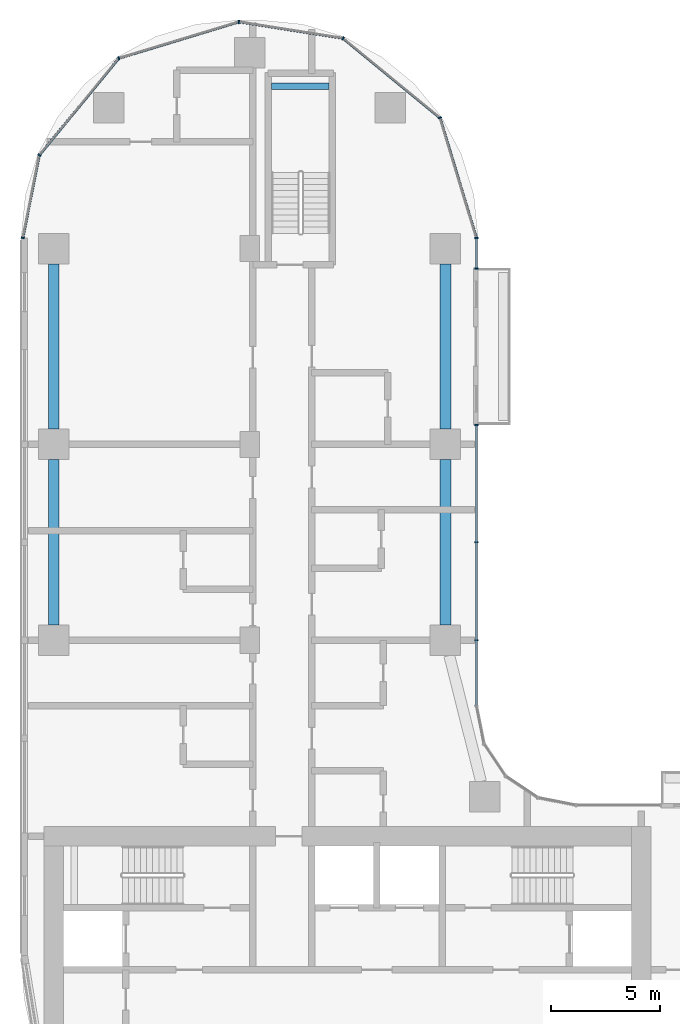
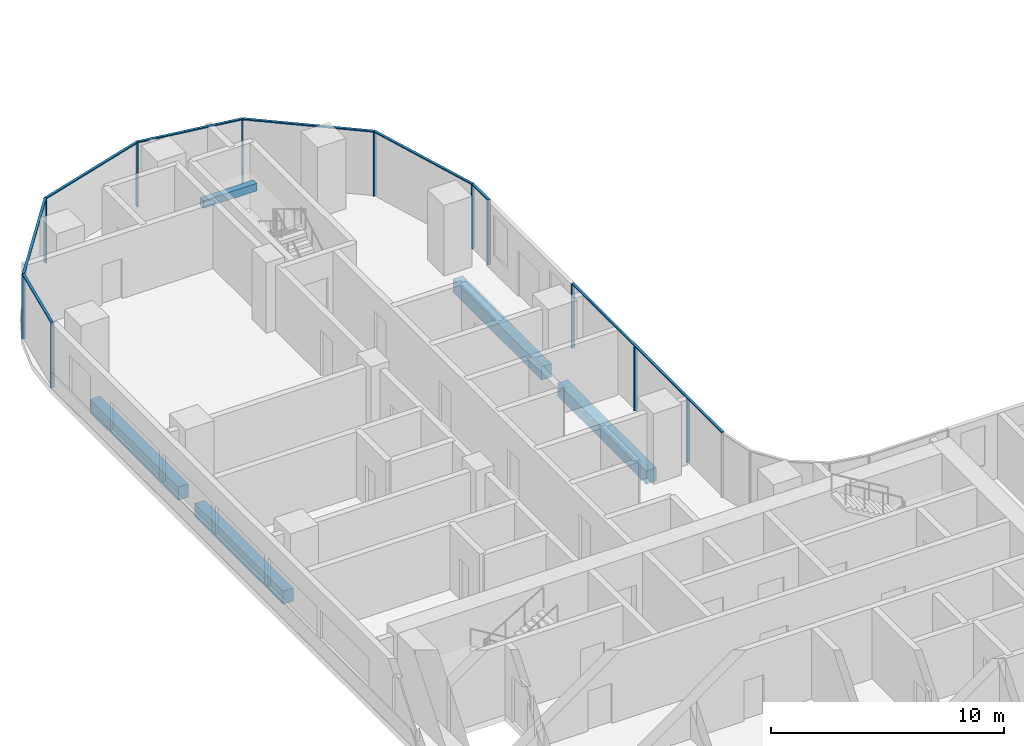
# One storey, part 4 of 31: 19 members, 5 beams, 3 elements without a shape of their own.
"""IFC4 building model written with IfcOpenShell, lengths in metres."""

from ifc_helpers import new_model, si_unit, direction, frame, origin, origin_2d, place, context, subcontext, project, spatial, rectangle, extrude, material, material_profile, profile_set, type_object, element, aggregate, save


model = new_model("IFC4")

# Units and contexts
model_context = context("Model", 3, precision=1e-05, world=origin(), true_north=direction((0.0, 1.0)))
body_context = subcontext(model_context, "Body", "Model", "MODEL_VIEW")
ifc_project = project(units=[si_unit("LENGTHUNIT", "METRE"), si_unit("AREAUNIT", "SQUARE_METRE"), si_unit("VOLUMEUNIT", "CUBIC_METRE"), si_unit("PLANEANGLEUNIT", "RADIAN"), si_unit("MASSUNIT", "GRAM", prefix="KILO")], contexts=[model_context])

# Site, building, storey
site_placement = place(None, origin())
site = spatial("IfcSite", under=ifc_project, at=site_placement, CompositionType="ELEMENT")
building_placement = place(site_placement, origin())
building = spatial("IfcBuilding", under=site, at=building_placement, Name="Ogive Portal Towers", CompositionType="ELEMENT")
storey_placement = place(building_placement, frame((0.0, 0.0, 74.199951171875)))
storey = spatial("IfcBuildingStorey", under=building, at=storey_placement, Name="L17", CompositionType="ELEMENT", Elevation=74.199951171875)

# Beam
ifc_material_1 = material(Name="Concrete C40/50", Category="concrete")
ifc_material_profile_1 = material_profile(ifc_material_1, rectangle(XDim=0.300048828125, YDim=0.39990234375, at=origin_2d()), Name="RC 300x400")
ifc_profile_set_1 = profile_set([ifc_material_profile_1], Name="Concrete C40/50")
beam_type_1 = type_object("IfcBeamType", Name="BEAM RC 300x400", PredefinedType="BEAM", material=ifc_profile_set_1)
beam_placement = place(storey_placement, frame((41.5, 73.949951171875, 1.449951171875), z_axis=(1.0, 0.0, 0.0), x_axis=(0.0, 1.0, 0.0)))
element("IfcBeam", 1, at=beam_placement, inside=storey, type_object=beam_type_1, Name="Landing beam L17", PredefinedType="BEAM", context=body_context, shape_type="SweptSolid", body=[
    extrude(rectangle(XDim=0.300048828125, YDim=0.39990234375, at=origin_2d()), origin(), (0.0, 0.0, 1.0), 2.64990234375),
])

# Curtain wall, members
ifc_material_2 = material(Name="Glass, clear low-iron insulated glazing", Category="glass")
curtain_wall_type = type_object("IfcCurtainWallType", Name="CW FRONT RIBBON 4500", PredefinedType="NOTDEFINED", material=ifc_material_2)
curtain_wall_1_placement = place(storey_placement, origin())
curtain_wall_1 = element("IfcCurtainWall", 2, at=curtain_wall_1_placement, inside=storey, type_object=curtain_wall_type, Name="A:L17:f17:cw0", PredefinedType="NOTDEFINED")
ifc_material_3 = material(Name="Aluminium 6063 anodised", Category="aluminium")
ifc_material_profile_2 = material_profile(ifc_material_3, rectangle(XDim=0.159912109375, YDim=0.06005859375, at=origin_2d()), Name="AL 60x160")
ifc_profile_set_2 = profile_set([ifc_material_profile_2], Name="Aluminium 6063 anodised")
member_type_1 = type_object("IfcMemberType", Name="CW MULLION 60x160", PredefinedType="MULLION", material=ifc_profile_set_2)
member_1_placement = place(storey_placement, frame((50.919921875, 48.5, 0.0), z_axis=(0.0, 0.0, 1.0), x_axis=(-1.0, 0.0, 0.0)))
member_1 = element("IfcMember", 3, at=member_1_placement, type_object=member_type_1, Name="mullion", PredefinedType="MULLION", context=body_context, shape_type="SweptSolid", body=[
    extrude(rectangle(XDim=0.159912109375, YDim=0.06005859375, at=origin_2d()), origin(), (0.0, 0.0, 1.0), 3.340087890625),
])
member_2_placement = place(storey_placement, frame((50.919921875, 53.0, 0.0), z_axis=(0.0, 0.0, 1.0), x_axis=(-1.0, 0.0, 0.0)))
member_2 = element("IfcMember", 4, at=member_2_placement, type_object=member_type_1, Name="mullion", PredefinedType="MULLION", context=body_context, shape_type="SweptSolid", body=[
    extrude(rectangle(XDim=0.159912109375, YDim=0.06005859375, at=origin_2d()), origin(), (0.0, 0.0, 1.0), 3.340087890625),
])
member_3_placement = place(storey_placement, frame((50.919921875, 58.3896484375, 0.0), z_axis=(0.0, 0.0, 1.0), x_axis=(-1.0, 0.0, 0.0)))
member_3 = element("IfcMember", 5, at=member_3_placement, type_object=member_type_1, Name="mullion", PredefinedType="MULLION", context=body_context, shape_type="SweptSolid", body=[
    extrude(rectangle(XDim=0.159912109375, YDim=0.06005859375, at=origin_2d()), origin(), (0.0, 0.0, 1.0), 3.340087890625),
])

curtain_wall_2_placement = place(storey_placement, origin())
curtain_wall_2 = element("IfcCurtainWall", 6, at=curtain_wall_2_placement, inside=storey, type_object=curtain_wall_type, Name="A:L17:f17:cw1", PredefinedType="NOTDEFINED")
member_4_placement = place(storey_placement, frame((50.919921875, 65.58837890625, 0.0), z_axis=(0.0, 0.0, 1.0), x_axis=(-1.0, 0.0, 0.0)))
member_4 = element("IfcMember", 7, at=member_4_placement, type_object=member_type_1, Name="mullion", PredefinedType="MULLION", context=body_context, shape_type="SweptSolid", body=[
    extrude(rectangle(XDim=0.159912109375, YDim=0.06005859375, at=origin_2d()), origin(), (0.0, 0.0, 1.0), 3.340087890625),
])
member_5_placement = place(storey_placement, frame((50.919921875, 66.988037109375, 0.0), z_axis=(0.0, 0.0, 1.0), x_axis=(-1.0, 0.0, 0.0)))
member_5 = element("IfcMember", 8, at=member_5_placement, type_object=member_type_1, Name="mullion", PredefinedType="MULLION", context=body_context, shape_type="SweptSolid", body=[
    extrude(rectangle(XDim=0.159912109375, YDim=0.06005859375, at=origin_2d()), origin(), (0.0, 0.0, 1.0), 3.340087890625),
])

curtain_wall_3_placement = place(storey_placement, origin())
curtain_wall_3 = element("IfcCurtainWall", 9, at=curtain_wall_3_placement, inside=storey, type_object=curtain_wall_type, Name="A:L17:f18:cwa", PredefinedType="NOTDEFINED")
member_6_placement = place(storey_placement, frame((49.2451171875, 72.50927734375, 0.0), z_axis=(0.0, 0.0, 1.0), x_axis=(-0.956940335732, -0.290284677254, 0.0)))
member_6 = element("IfcMember", 10, at=member_6_placement, type_object=member_type_1, Name="mullion", PredefinedType="MULLION", context=body_context, shape_type="SweptSolid", body=[
    extrude(rectangle(XDim=0.159912109375, YDim=0.06005859375, at=origin_2d()), origin(), (0.0, 0.0, 1.0), 3.340087890625),
])
member_7_placement = place(storey_placement, frame((44.79296875, 76.1630859375, 0.0), z_axis=(0.0, 0.0, 1.0), x_axis=(-0.634393284164, -0.773010453363, 0.0)))
member_7 = element("IfcMember", 11, at=member_7_placement, type_object=member_type_1, Name="mullion", PredefinedType="MULLION", context=body_context, shape_type="SweptSolid", body=[
    extrude(rectangle(XDim=0.159912109375, YDim=0.06005859375, at=origin_2d()), origin(), (0.0, 0.0, 1.0), 3.340087890625),
])
member_8_placement = place(storey_placement, frame((40.005615234375, 76.918212890625, 0.0), z_axis=(0.0, 0.0, 1.0), x_axis=(-0.155777466355, -0.987792174992, 0.0)))
member_8 = element("IfcMember", 12, at=member_8_placement, type_object=member_type_1, Name="mullion", PredefinedType="MULLION", context=body_context, shape_type="SweptSolid", body=[
    extrude(rectangle(XDim=0.159912109375, YDim=0.06005859375, at=origin_2d()), origin(), (0.0, 0.0, 1.0), 3.340087890625),
])
member_9_placement = place(storey_placement, frame((34.49072265625, 75.2451171875, 0.0), z_axis=(0.0, 0.0, 1.0), x_axis=(0.290284677254, -0.956940335732, 0.0)))
member_9 = element("IfcMember", 13, at=member_9_placement, type_object=member_type_1, Name="mullion", PredefinedType="MULLION", context=body_context, shape_type="SweptSolid", body=[
    extrude(rectangle(XDim=0.159912109375, YDim=0.06005859375, at=origin_2d()), origin(), (0.0, 0.0, 1.0), 3.340087890625),
])
member_10_placement = place(storey_placement, frame((30.835693359375, 70.79150390625, 0.0), z_axis=(0.0, 0.0, 1.0), x_axis=(0.773010453363, -0.634393284164, 0.0)))
member_10 = element("IfcMember", 14, at=member_10_placement, type_object=member_type_1, Name="mullion", PredefinedType="MULLION", context=body_context, shape_type="SweptSolid", body=[
    extrude(rectangle(XDim=0.159912109375, YDim=0.06005859375, at=origin_2d()), origin(), (0.0, 0.0, 1.0), 3.340087890625),
])
member_11_placement = place(storey_placement, frame((30.080078125, 66.9921875, 0.0), z_axis=(0.0, 0.0, 1.0), x_axis=(0.980785280403, -0.195090322016, 0.0)))
member_11 = element("IfcMember", 15, at=member_11_placement, type_object=member_type_1, Name="mullion", PredefinedType="MULLION", context=body_context, shape_type="SweptSolid", body=[
    extrude(rectangle(XDim=0.159912109375, YDim=0.06005859375, at=origin_2d()), origin(), (0.0, 0.0, 1.0), 3.340087890625),
])

# Member
ifc_material_profile_3 = material_profile(ifc_material_3, rectangle(XDim=0.1201171875, YDim=0.06005859375, at=origin_2d()), Name="AL 120x60")
ifc_profile_set_3 = profile_set([ifc_material_profile_3], Name="Aluminium 6063 anodised")
member_type_2 = type_object("IfcMemberType", Name="CW TRANSOM 60x120", PredefinedType="USERDEFINED", material=ifc_profile_set_3)
member_12_placement = place(storey_placement, frame((50.919921875, 45.4921875, 3.3701171875), z_axis=(0.0, 1.0, 0.0), x_axis=(-1.0, 0.0, 0.0)))
member_12 = element("IfcMember", 16, at=member_12_placement, type_object=member_type_2, Name="transom", ObjectType="TRANSOM", PredefinedType="USERDEFINED", context=body_context, shape_type="SweptSolid", body=[
    extrude(rectangle(XDim=0.1201171875, YDim=0.06005859375, at=origin_2d()), origin(), (0.0, 0.0, 1.0), 12.8974609375),
])

aggregate(curtain_wall_1, [member_12, member_1, member_2, member_3])

member_13_placement = place(storey_placement, frame((50.919921875, 65.58837890625, 3.3701171875), z_axis=(0.0, 1.0, 0.0), x_axis=(-1.0, 0.0, 0.0)))
member_13 = element("IfcMember", 17, at=member_13_placement, type_object=member_type_2, Name="transom", ObjectType="TRANSOM", PredefinedType="USERDEFINED", context=body_context, shape_type="SweptSolid", body=[
    extrude(rectangle(XDim=0.1201171875, YDim=0.06005859375, at=origin_2d()), origin(), (0.0, 0.0, 1.0), 1.399658203125),
])

aggregate(curtain_wall_2, [member_13, member_4, member_5])

member_14_placement = place(storey_placement, frame((50.919921875, 66.988037109375, 3.3701171875), z_axis=(-0.290277499028, 0.956942513194, 0.0), x_axis=(-0.956942513194, -0.290277499028, 0.0)))
member_14 = element("IfcMember", 18, at=member_14_placement, type_object=member_type_2, Name="transom", ObjectType="TRANSOM", PredefinedType="USERDEFINED", context=body_context, shape_type="SweptSolid", body=[
    extrude(rectangle(XDim=0.1201171875, YDim=0.06005859375, at=origin_2d()), origin(), (0.0, 0.0, 1.0), 5.769775390625),
])

member_15_placement = place(storey_placement, frame((49.2451171875, 72.50927734375, 3.3701171875), z_axis=(-0.773008341981, 0.634395856881, 0.0), x_axis=(-0.634395856881, -0.773008341981, 0.0)))
member_15 = element("IfcMember", 19, at=member_15_placement, type_object=member_type_2, Name="transom", ObjectType="TRANSOM", PredefinedType="USERDEFINED", context=body_context, shape_type="SweptSolid", body=[
    extrude(rectangle(XDim=0.1201171875, YDim=0.06005859375, at=origin_2d()), origin(), (0.0, 0.0, 1.0), 5.759521484375),
])

member_16_placement = place(storey_placement, frame((44.79296875, 76.1630859375, 3.3701171875), z_axis=(-0.987787459497, 0.155807364589, 0.0), x_axis=(-0.155807364589, -0.987787459497, 0.0)))
member_16 = element("IfcMember", 20, at=member_16_placement, type_object=member_type_2, Name="transom", ObjectType="TRANSOM", PredefinedType="USERDEFINED", context=body_context, shape_type="SweptSolid", body=[
    extrude(rectangle(XDim=0.1201171875, YDim=0.06005859375, at=origin_2d()), origin(), (0.0, 0.0, 1.0), 4.846435546875),
])

member_17_placement = place(storey_placement, frame((40.005615234375, 76.918212890625, 3.3701171875), z_axis=(-0.956932077168, -0.290311900697, 0.0), x_axis=(0.290311900697, -0.956932077168, 0.0)))
member_17 = element("IfcMember", 21, at=member_17_placement, type_object=member_type_2, Name="transom", ObjectType="TRANSOM", PredefinedType="USERDEFINED", context=body_context, shape_type="SweptSolid", body=[
    extrude(rectangle(XDim=0.1201171875, YDim=0.06005859375, at=origin_2d()), origin(), (0.0, 0.0, 1.0), 5.76318359375),
])

member_18_placement = place(storey_placement, frame((34.49072265625, 75.2451171875, 3.3701171875), z_axis=(-0.63439777858, -0.773006764869, 0.0), x_axis=(0.773006764869, -0.63439777858, 0.0)))
member_18 = element("IfcMember", 22, at=member_18_placement, type_object=member_type_2, Name="transom", ObjectType="TRANSOM", PredefinedType="USERDEFINED", context=body_context, shape_type="SweptSolid", body=[
    extrude(rectangle(XDim=0.1201171875, YDim=0.06005859375, at=origin_2d()), origin(), (0.0, 0.0, 1.0), 5.761474609375),
])

member_19_placement = place(storey_placement, frame((30.835693359375, 70.79150390625, 3.3701171875), z_axis=(-0.195061569373, -0.980790999221, 0.0), x_axis=(0.980790999221, -0.195061569373, 0.0)))
member_19 = element("IfcMember", 23, at=member_19_placement, type_object=member_type_2, Name="transom", ObjectType="TRANSOM", PredefinedType="USERDEFINED", context=body_context, shape_type="SweptSolid", body=[
    extrude(rectangle(XDim=0.1201171875, YDim=0.06005859375, at=origin_2d()), origin(), (0.0, 0.0, 1.0), 3.873779296875),
])

aggregate(curtain_wall_3, [member_14, member_15, member_16, member_17, member_18, member_19, member_6, member_7, member_8, member_9, member_10, member_11])

# Beams
ifc_material_profile_4 = material_profile(ifc_material_1, rectangle(XDim=0.5, YDim=0.699951171875, at=origin_2d()), Name="RC 500x700")
ifc_profile_set_4 = profile_set([ifc_material_profile_4], Name="Concrete C40/50")
beam_type_2 = type_object("IfcBeamType", Name="SPANDREL BEAM RC 500x700", PredefinedType="BEAM", material=ifc_profile_set_4)
for number, where, z_axis, x_axis, name in (
    (24, (31.5, 49.199951171875, -0.64990234375), (0.0, 1.0, 0.0), (-1.0, 0.0, 0.0), "Spandrel beam L17"),
    (25, (31.5, 58.199951171875, -0.64990234375), (0.0, 1.0, 0.0), (-1.0, 0.0, 0.0), "Spandrel beam L17"),
    (26, (49.5, 65.800048828125, -0.64990234375), (0.0, -1.0, 0.0), (1.0, 0.0, 0.0), "Spandrel beam L17"),
    (27, (49.5, 56.800048828125, -0.64990234375), (0.0, -1.0, 0.0), (1.0, 0.0, 0.0), "Spandrel beam L17"),
):
    element("IfcBeam", number, at=place(storey_placement, frame(where, z_axis=z_axis, x_axis=x_axis)), inside=storey, type_object=beam_type_2, Name=name, PredefinedType="BEAM", context=body_context, shape_type="SweptSolid", body=[
        extrude(rectangle(XDim=0.5, YDim=0.699951171875, at=origin_2d()), origin(), (0.0, 0.0, 1.0), 7.60009765625),
    ])

save(model, "model.ifc")
